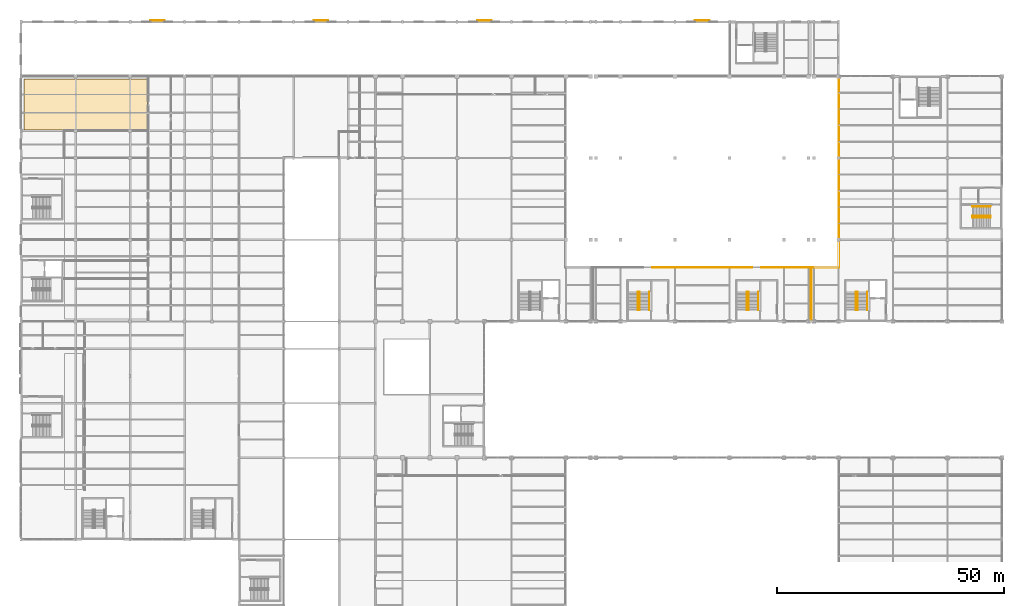
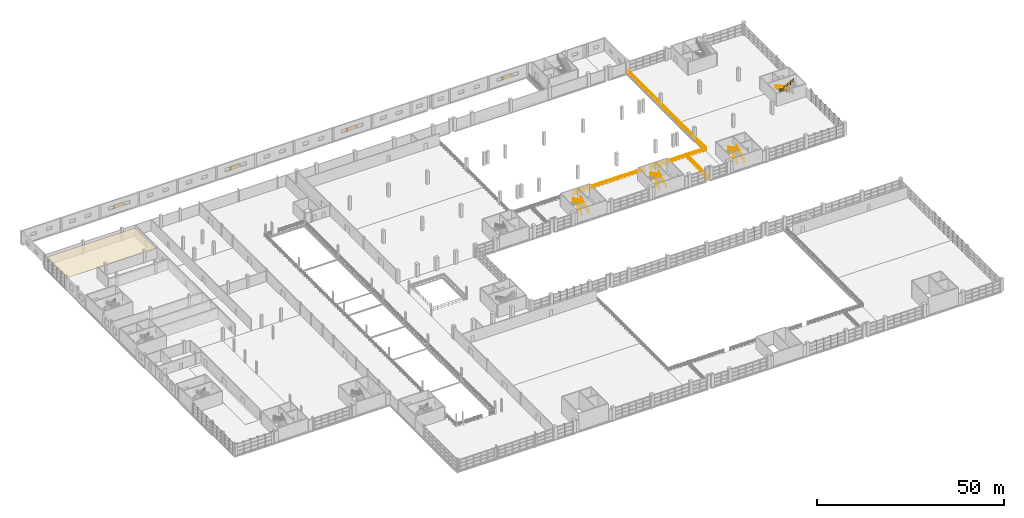
# One storey, part 157 of 158: 11 railings, 4 shading devices, 1 covering.
"""IFC4 building model written with IfcOpenShell, lengths in metres."""

from ifc_helpers import new_model, si_unit, direction, frame, origin, origin_2d, place, context, subcontext, project, spatial, polyline, rectangle, circle, outline, extrude, material, layer, layer_set, type_object, element, save


model = new_model("IFC4")

# Units and contexts
model_context = context("Model", 3, precision=1e-05, world=origin(), true_north=direction((0.0, 1.0)))
body_context = subcontext(model_context, "Body", "Model", "MODEL_VIEW")
ifc_project = project(units=[si_unit("LENGTHUNIT", "METRE"), si_unit("AREAUNIT", "SQUARE_METRE"), si_unit("VOLUMEUNIT", "CUBIC_METRE"), si_unit("PLANEANGLEUNIT", "RADIAN"), si_unit("MASSUNIT", "GRAM", prefix="KILO")], contexts=[model_context])

# Site, building, storey
site_placement = place(None, origin())
site = spatial("IfcSite", under=ifc_project, at=site_placement, CompositionType="ELEMENT")
building_placement = place(site_placement, origin())
building = spatial("IfcBuilding", under=site, at=building_placement, Name="Zilviju Railside Exhibition Hall", CompositionType="ELEMENT")
storey_placement = place(building_placement, frame((0.0, 0.0, 4.199951171875)))
storey = spatial("IfcBuildingStorey", under=building, at=storey_placement, Name="L02", CompositionType="ELEMENT", Elevation=4.199951171875)

# Covering
ifc_material_1 = material(Name="Perforated gypsum and mineral-wool acoustic ceiling", Category="masonry")
ifc_layer = layer(ifc_material_1, 0.030029296875)
ifc_layer_set = layer_set([ifc_layer], Name="Perforated gypsum and mineral-wool acoustic ceiling")
covering_type = type_object("IfcCoveringType", Name="COV-CEIL-ACOUSTIC", PredefinedType="CEILING", material=ifc_layer_set)
covering_placement = place(storey_placement, frame((0.0, 0.0, 3.050048828125)))
element("IfcCovering", 1, at=covering_placement, inside=storey, type_object=covering_type, Name="Meeting Room 203 Acoustic Ceiling", PredefinedType="CEILING", context=body_context, shape_type="SweptSolid", body=[
    extrude(outline(polyline([(0.60009765625, 126.199951171875), (27.800048828125, 126.199951171875), (27.800048828125, 137.39990234375), (0.60009765625, 137.39990234375), (0.60009765625, 126.199951171875)])), origin(), (0.0, 0.0, 1.0), 0.030029296875),
])

# Railings
ifc_material_2 = material(Name="Brushed bronze tubular stair handrail", Category="steel")
railing_type_1 = type_object("IfcRailingType", Name="RL-HANDRAIL-920", PredefinedType="HANDRAIL", material=ifc_material_2)
for number, where, name in (
    (2, (138.35009765625, 86.5, 0.0), "Core C05 North Hall Court MidW Stair Wall Handrail L02"),
    (3, (162.340087890625, 86.5, 0.0), "Core C06 North Hall Court MidE Stair Wall Handrail L02"),
    (4, (186.360107421875, 86.5, 0.0), "Core C07 North Hall Court East Stair Wall Handrail L02"),
):
    element("IfcRailing", number, at=place(storey_placement, frame(where)), inside=storey, type_object=railing_type_1, Name=name, PredefinedType="HANDRAIL", context=body_context, shape_type="SweptSolid", body=[
        extrude(circle(Radius=0.02392578125, at=origin_2d()), frame((0.0, 0.019287109375, 0.906005859375), z_axis=(0.0, 0.88681272381, 0.462128978628), x_axis=(-1.0, 0.0, 0.0)), (0.0, 0.0, 1.0), 4.500732421875),
        extrude(circle(Radius=0.02099609375, at=origin_2d()), origin(), (0.0, 0.0, 1.0), 0.919921875),
        extrude(circle(Radius=0.02099609375, at=origin_2d()), frame((0.0, 1.007568359375, 0.52490234375)), (0.0, 0.0, 1.0), 0.919921875),
        extrude(circle(Radius=0.02099609375, at=origin_2d()), frame((0.0, 2.01513671875, 1.050048828125)), (0.0, 0.0, 1.0), 0.919921875),
        extrude(circle(Radius=0.02099609375, at=origin_2d()), frame((0.0, 3.0224609375, 1.5751953125)), (0.0, 0.0, 1.0), 0.919921875),
        extrude(circle(Radius=0.02099609375, at=origin_2d()), frame((0.0, 4.030029296875, 2.10009765625)), (0.0, 0.0, 1.0), 0.919921875),
    ])
railing_1_placement = place(storey_placement, frame((213.5, 109.340087890625, 0.0)))
element("IfcRailing", 5, at=railing_1_placement, inside=storey, type_object=railing_type_1, Name="Core C09 North Hall Gable East Stair Wall Handrail L02", PredefinedType="HANDRAIL", context=body_context, shape_type="SweptSolid", body=[
    extrude(circle(Radius=0.02392578125, at=origin_2d()), frame((-0.019287109375, 0.0, 0.906005859375), z_axis=(-0.88681272381, 0.0, 0.462128978628), x_axis=(0.0, -1.0, 0.0)), (0.0, 0.0, 1.0), 4.500732421875),
    extrude(circle(Radius=0.02099609375, at=origin_2d()), origin(), (0.0, 0.0, 1.0), 0.919921875),
    extrude(circle(Radius=0.02099609375, at=origin_2d()), frame((-1.007568359375, 0.0, 0.52490234375)), (0.0, 0.0, 1.0), 0.919921875),
    extrude(circle(Radius=0.02099609375, at=origin_2d()), frame((-2.01513671875, 0.0, 1.050048828125)), (0.0, 0.0, 1.0), 0.919921875),
    extrude(circle(Radius=0.02099609375, at=origin_2d()), frame((-3.0224609375, 0.0, 1.5751953125)), (0.0, 0.0, 1.0), 0.919921875),
    extrude(circle(Radius=0.02099609375, at=origin_2d()), frame((-4.030029296875, 0.0, 2.10009765625)), (0.0, 0.0, 1.0), 0.919921875),
])
ifc_material_3 = material(Name="Wrought-iron and laminated-glass atrium guardrail", Category="glass")
railing_type_2 = type_object("IfcRailingType", Name="RL-INT-GUARD-1120", PredefinedType="GUARDRAIL", material=ifc_material_3)
railing_2_placement = place(storey_placement, frame((136.239990234375, 86.5, 0.0)))
element("IfcRailing", 6, at=railing_2_placement, inside=storey, type_object=railing_type_2, Name="Core C05 North Hall Court MidW Stair Well Guardrail L02", PredefinedType="GUARDRAIL", context=body_context, shape_type="SweptSolid", body=[
    extrude(circle(Radius=0.02392578125, at=origin_2d()), frame((0.0, 0.019287109375, 1.106201171875), z_axis=(0.0, 0.88681272381, 0.462128978628), x_axis=(-1.0, 0.0, 0.0)), (0.0, 0.0, 1.0), 4.500732421875),
    extrude(circle(Radius=0.02392578125, at=origin_2d()), frame((0.0, 0.019287109375, 0.570068359375), z_axis=(0.0, 0.88681272381, 0.462128978628), x_axis=(-1.0, 0.0, 0.0)), (0.0, 0.0, 1.0), 4.500732421875),
    extrude(circle(Radius=0.02392578125, at=origin_2d()), frame((-0.021728515625, 4.030029296875, 3.1962890625), z_axis=(-1.0, 0.0, 0.0), x_axis=(0.0, -1.0, 0.0)), (0.0, 0.0, 1.0), 0.336181640625),
    extrude(circle(Radius=0.02392578125, at=origin_2d()), frame((-0.021728515625, 4.030029296875, 2.66015625), z_axis=(-1.0, 0.0, 0.0), x_axis=(0.0, -1.0, 0.0)), (0.0, 0.0, 1.0), 0.336181640625),
    extrude(circle(Radius=0.02392578125, at=origin_2d()), frame((-0.3798828125, 4.0107421875, 3.206298828125), z_axis=(0.0, -0.886834740388, 0.462086726969), x_axis=(1.0, 0.0, 0.0)), (0.0, 0.0, 1.0), 4.500732421875),
    extrude(circle(Radius=0.02392578125, at=origin_2d()), frame((-0.3798828125, 4.0107421875, 2.670166015625), z_axis=(0.0, -0.886834740388, 0.462086726969), x_axis=(1.0, 0.0, 0.0)), (0.0, 0.0, 1.0), 4.500732421875),
    extrude(circle(Radius=0.02099609375, at=origin_2d()), origin(), (0.0, 0.0, 1.0), 1.1201171875),
    extrude(circle(Radius=0.02099609375, at=origin_2d()), frame((0.0, 1.007568359375, 0.52490234375)), (0.0, 0.0, 1.0), 1.1201171875),
    extrude(circle(Radius=0.02099609375, at=origin_2d()), frame((0.0, 2.01513671875, 1.050048828125)), (0.0, 0.0, 1.0), 1.1201171875),
    extrude(circle(Radius=0.02099609375, at=origin_2d()), frame((0.0, 3.0224609375, 1.5751953125)), (0.0, 0.0, 1.0), 1.1201171875),
    extrude(circle(Radius=0.02099609375, at=origin_2d()), frame((0.0, 4.030029296875, 2.10009765625)), (0.0, 0.0, 1.0), 1.1201171875),
    extrude(circle(Radius=0.02099609375, at=origin_2d()), frame((-0.3798828125, 4.030029296875, 2.10009765625)), (0.0, 0.0, 1.0), 1.1201171875),
    extrude(circle(Radius=0.02099609375, at=origin_2d()), frame((-0.3798828125, 3.0224609375, 2.625)), (0.0, 0.0, 1.0), 1.1201171875),
    extrude(circle(Radius=0.02099609375, at=origin_2d()), frame((-0.3798828125, 2.01513671875, 3.14990234375)), (0.0, 0.0, 1.0), 1.1201171875),
    extrude(circle(Radius=0.02099609375, at=origin_2d()), frame((-0.3798828125, 1.007568359375, 3.675048828125)), (0.0, 0.0, 1.0), 1.1201171875),
    extrude(circle(Radius=0.02099609375, at=origin_2d()), frame((-0.3798828125, 0.0, 4.199951171875)), (0.0, 0.0, 1.0), 1.1201171875),
])
railing_3_placement = place(storey_placement, frame((160.25, 86.5, 0.0)))
element("IfcRailing", 7, at=railing_3_placement, inside=storey, type_object=railing_type_2, Name="Core C06 North Hall Court MidE Stair Well Guardrail L02", PredefinedType="GUARDRAIL", context=body_context, shape_type="SweptSolid", body=[
    extrude(circle(Radius=0.02392578125, at=origin_2d()), frame((0.0, 0.019287109375, 1.106201171875), z_axis=(0.0, 0.88681272381, 0.462128978628), x_axis=(-1.0, 0.0, 0.0)), (0.0, 0.0, 1.0), 4.500732421875),
    extrude(circle(Radius=0.02392578125, at=origin_2d()), frame((0.0, 0.019287109375, 0.570068359375), z_axis=(0.0, 0.88681272381, 0.462128978628), x_axis=(-1.0, 0.0, 0.0)), (0.0, 0.0, 1.0), 4.500732421875),
    extrude(circle(Radius=0.02392578125, at=origin_2d()), frame((-0.021728515625, 4.030029296875, 3.1962890625), z_axis=(-1.0, 0.0, 0.0), x_axis=(0.0, -1.0, 0.0)), (0.0, 0.0, 1.0), 0.356201171875),
    extrude(circle(Radius=0.02392578125, at=origin_2d()), frame((-0.021728515625, 4.030029296875, 2.66015625), z_axis=(-1.0, 0.0, 0.0), x_axis=(0.0, -1.0, 0.0)), (0.0, 0.0, 1.0), 0.356201171875),
    extrude(circle(Radius=0.02392578125, at=origin_2d()), frame((-0.39990234375, 4.0107421875, 3.206298828125), z_axis=(0.0, -0.886834740388, 0.462086726969), x_axis=(1.0, 0.0, 0.0)), (0.0, 0.0, 1.0), 4.500732421875),
    extrude(circle(Radius=0.02392578125, at=origin_2d()), frame((-0.39990234375, 4.0107421875, 2.670166015625), z_axis=(0.0, -0.886834740388, 0.462086726969), x_axis=(1.0, 0.0, 0.0)), (0.0, 0.0, 1.0), 4.500732421875),
    extrude(circle(Radius=0.02099609375, at=origin_2d()), origin(), (0.0, 0.0, 1.0), 1.1201171875),
    extrude(circle(Radius=0.02099609375, at=origin_2d()), frame((0.0, 1.007568359375, 0.52490234375)), (0.0, 0.0, 1.0), 1.1201171875),
    extrude(circle(Radius=0.02099609375, at=origin_2d()), frame((0.0, 2.01513671875, 1.050048828125)), (0.0, 0.0, 1.0), 1.1201171875),
    extrude(circle(Radius=0.02099609375, at=origin_2d()), frame((0.0, 3.0224609375, 1.5751953125)), (0.0, 0.0, 1.0), 1.1201171875),
    extrude(circle(Radius=0.02099609375, at=origin_2d()), frame((0.0, 4.030029296875, 2.10009765625)), (0.0, 0.0, 1.0), 1.1201171875),
    extrude(circle(Radius=0.02099609375, at=origin_2d()), frame((-0.39990234375, 4.030029296875, 2.10009765625)), (0.0, 0.0, 1.0), 1.1201171875),
    extrude(circle(Radius=0.02099609375, at=origin_2d()), frame((-0.39990234375, 3.0224609375, 2.625)), (0.0, 0.0, 1.0), 1.1201171875),
    extrude(circle(Radius=0.02099609375, at=origin_2d()), frame((-0.39990234375, 2.01513671875, 3.14990234375)), (0.0, 0.0, 1.0), 1.1201171875),
    extrude(circle(Radius=0.02099609375, at=origin_2d()), frame((-0.39990234375, 1.007568359375, 3.675048828125)), (0.0, 0.0, 1.0), 1.1201171875),
    extrude(circle(Radius=0.02099609375, at=origin_2d()), frame((-0.39990234375, 0.0, 4.199951171875)), (0.0, 0.0, 1.0), 1.1201171875),
])
railing_4_placement = place(storey_placement, frame((184.22998046875, 86.5, 0.0)))
element("IfcRailing", 8, at=railing_4_placement, inside=storey, type_object=railing_type_2, Name="Core C07 North Hall Court East Stair Well Guardrail L02", PredefinedType="GUARDRAIL", context=body_context, shape_type="SweptSolid", body=[
    extrude(circle(Radius=0.02392578125, at=origin_2d()), frame((0.0, 0.019287109375, 1.106201171875), z_axis=(0.0, 0.88681272381, 0.462128978628), x_axis=(-1.0, 0.0, 0.0)), (0.0, 0.0, 1.0), 4.500732421875),
    extrude(circle(Radius=0.02392578125, at=origin_2d()), frame((0.0, 0.019287109375, 0.570068359375), z_axis=(0.0, 0.88681272381, 0.462128978628), x_axis=(-1.0, 0.0, 0.0)), (0.0, 0.0, 1.0), 4.500732421875),
    extrude(circle(Radius=0.02392578125, at=origin_2d()), frame((-0.021728515625, 4.030029296875, 3.1962890625), z_axis=(-1.0, 0.0, 0.0), x_axis=(0.0, -1.0, 0.0)), (0.0, 0.0, 1.0), 0.316162109375),
    extrude(circle(Radius=0.02392578125, at=origin_2d()), frame((-0.021728515625, 4.030029296875, 2.66015625), z_axis=(-1.0, 0.0, 0.0), x_axis=(0.0, -1.0, 0.0)), (0.0, 0.0, 1.0), 0.316162109375),
    extrude(circle(Radius=0.02392578125, at=origin_2d()), frame((-0.35986328125, 4.0107421875, 3.206298828125), z_axis=(0.0, -0.886834740388, 0.462086726969), x_axis=(1.0, 0.0, 0.0)), (0.0, 0.0, 1.0), 4.500732421875),
    extrude(circle(Radius=0.02392578125, at=origin_2d()), frame((-0.35986328125, 4.0107421875, 2.670166015625), z_axis=(0.0, -0.886834740388, 0.462086726969), x_axis=(1.0, 0.0, 0.0)), (0.0, 0.0, 1.0), 4.500732421875),
    extrude(circle(Radius=0.02099609375, at=origin_2d()), origin(), (0.0, 0.0, 1.0), 1.1201171875),
    extrude(circle(Radius=0.02099609375, at=origin_2d()), frame((0.0, 1.007568359375, 0.52490234375)), (0.0, 0.0, 1.0), 1.1201171875),
    extrude(circle(Radius=0.02099609375, at=origin_2d()), frame((0.0, 2.01513671875, 1.050048828125)), (0.0, 0.0, 1.0), 1.1201171875),
    extrude(circle(Radius=0.02099609375, at=origin_2d()), frame((0.0, 3.0224609375, 1.5751953125)), (0.0, 0.0, 1.0), 1.1201171875),
    extrude(circle(Radius=0.02099609375, at=origin_2d()), frame((0.0, 4.030029296875, 2.10009765625)), (0.0, 0.0, 1.0), 1.1201171875),
    extrude(circle(Radius=0.02099609375, at=origin_2d()), frame((-0.35986328125, 4.030029296875, 2.10009765625)), (0.0, 0.0, 1.0), 1.1201171875),
    extrude(circle(Radius=0.02099609375, at=origin_2d()), frame((-0.35986328125, 3.0224609375, 2.625)), (0.0, 0.0, 1.0), 1.1201171875),
    extrude(circle(Radius=0.02099609375, at=origin_2d()), frame((-0.35986328125, 2.01513671875, 3.14990234375)), (0.0, 0.0, 1.0), 1.1201171875),
    extrude(circle(Radius=0.02099609375, at=origin_2d()), frame((-0.35986328125, 1.007568359375, 3.675048828125)), (0.0, 0.0, 1.0), 1.1201171875),
    extrude(circle(Radius=0.02099609375, at=origin_2d()), frame((-0.35986328125, 0.0, 4.199951171875)), (0.0, 0.0, 1.0), 1.1201171875),
])
railing_5_placement = place(storey_placement, frame((213.5, 107.25, 0.0)))
element("IfcRailing", 9, at=railing_5_placement, inside=storey, type_object=railing_type_2, Name="Core C09 North Hall Gable East Stair Well Guardrail L02", PredefinedType="GUARDRAIL", context=body_context, shape_type="SweptSolid", body=[
    extrude(circle(Radius=0.02392578125, at=origin_2d()), frame((-0.019287109375, 0.0, 1.106201171875), z_axis=(-0.88681272381, 0.0, 0.462128978628), x_axis=(0.0, -1.0, 0.0)), (0.0, 0.0, 1.0), 4.500732421875),
    extrude(circle(Radius=0.02392578125, at=origin_2d()), frame((-0.019287109375, 0.0, 0.570068359375), z_axis=(-0.88681272381, 0.0, 0.462128978628), x_axis=(0.0, -1.0, 0.0)), (0.0, 0.0, 1.0), 4.500732421875),
    extrude(circle(Radius=0.02392578125, at=origin_2d()), frame((-4.030029296875, -0.021728515625, 3.1962890625), z_axis=(0.0, -1.0, 0.0), x_axis=(1.0, 0.0, 0.0)), (0.0, 0.0, 1.0), 0.356201171875),
    extrude(circle(Radius=0.02392578125, at=origin_2d()), frame((-4.030029296875, -0.021728515625, 2.66015625), z_axis=(0.0, -1.0, 0.0), x_axis=(1.0, 0.0, 0.0)), (0.0, 0.0, 1.0), 0.356201171875),
    extrude(circle(Radius=0.02392578125, at=origin_2d()), frame((-4.0107421875, -0.39990234375, 3.206298828125), z_axis=(0.886834740388, 0.0, 0.462086726969), x_axis=(0.0, 1.0, 0.0)), (0.0, 0.0, 1.0), 4.500732421875),
    extrude(circle(Radius=0.02392578125, at=origin_2d()), frame((-4.0107421875, -0.39990234375, 2.670166015625), z_axis=(0.886834740388, 0.0, 0.462086726969), x_axis=(0.0, 1.0, 0.0)), (0.0, 0.0, 1.0), 4.500732421875),
    extrude(circle(Radius=0.02099609375, at=origin_2d()), origin(), (0.0, 0.0, 1.0), 1.1201171875),
    extrude(circle(Radius=0.02099609375, at=origin_2d()), frame((-1.007568359375, 0.0, 0.52490234375)), (0.0, 0.0, 1.0), 1.1201171875),
    extrude(circle(Radius=0.02099609375, at=origin_2d()), frame((-2.01513671875, 0.0, 1.050048828125)), (0.0, 0.0, 1.0), 1.1201171875),
    extrude(circle(Radius=0.02099609375, at=origin_2d()), frame((-3.0224609375, 0.0, 1.5751953125)), (0.0, 0.0, 1.0), 1.1201171875),
    extrude(circle(Radius=0.02099609375, at=origin_2d()), frame((-4.030029296875, 0.0, 2.10009765625)), (0.0, 0.0, 1.0), 1.1201171875),
    extrude(circle(Radius=0.02099609375, at=origin_2d()), frame((-4.030029296875, -0.39990234375, 2.10009765625)), (0.0, 0.0, 1.0), 1.1201171875),
    extrude(circle(Radius=0.02099609375, at=origin_2d()), frame((-3.0224609375, -0.39990234375, 2.625)), (0.0, 0.0, 1.0), 1.1201171875),
    extrude(circle(Radius=0.02099609375, at=origin_2d()), frame((-2.01513671875, -0.39990234375, 3.14990234375)), (0.0, 0.0, 1.0), 1.1201171875),
    extrude(circle(Radius=0.02099609375, at=origin_2d()), frame((-1.007568359375, -0.39990234375, 3.675048828125)), (0.0, 0.0, 1.0), 1.1201171875),
    extrude(circle(Radius=0.02099609375, at=origin_2d()), frame((0.0, -0.39990234375, 4.199951171875)), (0.0, 0.0, 1.0), 1.1201171875),
])
railing_6_placement = place(storey_placement, frame((139.050048828125, 95.8798828125, 0.0)))
element("IfcRailing", 10, at=railing_6_placement, inside=storey, type_object=railing_type_2, Name="Interior Atrium & Gallery Guardrail V2-S-WLK2B", PredefinedType="GUARDRAIL", context=body_context, shape_type="SweptSolid", body=[
    extrude(circle(Radius=0.02392578125, at=origin_2d()), frame((0.021728515625, 0.0, 1.09619140625), z_axis=(1.0, 0.0, 0.0), x_axis=(0.0, 1.0, 0.0)), (0.0, 0.0, 1.0), 21.856201171875),
    extrude(circle(Radius=0.02392578125, at=origin_2d()), frame((0.021728515625, 0.0, 0.56005859375), z_axis=(1.0, 0.0, 0.0), x_axis=(0.0, 1.0, 0.0)), (0.0, 0.0, 1.0), 21.856201171875),
    extrude(circle(Radius=0.02099609375, at=origin_2d()), origin(), (0.0, 0.0, 1.0), 1.1201171875),
    extrude(circle(Radius=0.02099609375, at=origin_2d()), frame((1.152587890625, 0.0, 0.0)), (0.0, 0.0, 1.0), 1.1201171875),
    extrude(circle(Radius=0.02099609375, at=origin_2d()), frame((2.30517578125, 0.0, 0.0)), (0.0, 0.0, 1.0), 1.1201171875),
    extrude(circle(Radius=0.02099609375, at=origin_2d()), frame((3.457763671875, 0.0, 0.0)), (0.0, 0.0, 1.0), 1.1201171875),
    extrude(circle(Radius=0.02099609375, at=origin_2d()), frame((4.610595703125, 0.0, 0.0)), (0.0, 0.0, 1.0), 1.1201171875),
    extrude(circle(Radius=0.02099609375, at=origin_2d()), frame((5.76318359375, 0.0, 0.0)), (0.0, 0.0, 1.0), 1.1201171875),
    extrude(circle(Radius=0.02099609375, at=origin_2d()), frame((6.915771484375, 0.0, 0.0)), (0.0, 0.0, 1.0), 1.1201171875),
    extrude(circle(Radius=0.02099609375, at=origin_2d()), frame((8.068359375, 0.0, 0.0)), (0.0, 0.0, 1.0), 1.1201171875),
    extrude(circle(Radius=0.02099609375, at=origin_2d()), frame((9.220947265625, 0.0, 0.0)), (0.0, 0.0, 1.0), 1.1201171875),
    extrude(circle(Radius=0.02099609375, at=origin_2d()), frame((10.37353515625, 0.0, 0.0)), (0.0, 0.0, 1.0), 1.1201171875),
    extrude(circle(Radius=0.02099609375, at=origin_2d()), frame((11.5263671875, 0.0, 0.0)), (0.0, 0.0, 1.0), 1.1201171875),
    extrude(circle(Radius=0.02099609375, at=origin_2d()), frame((12.678955078125, 0.0, 0.0)), (0.0, 0.0, 1.0), 1.1201171875),
    extrude(circle(Radius=0.02099609375, at=origin_2d()), frame((13.83154296875, 0.0, 0.0)), (0.0, 0.0, 1.0), 1.1201171875),
    extrude(circle(Radius=0.02099609375, at=origin_2d()), frame((14.984130859375, 0.0, 0.0)), (0.0, 0.0, 1.0), 1.1201171875),
    extrude(circle(Radius=0.02099609375, at=origin_2d()), frame((16.13671875, 0.0, 0.0)), (0.0, 0.0, 1.0), 1.1201171875),
    extrude(circle(Radius=0.02099609375, at=origin_2d()), frame((17.289306640625, 0.0, 0.0)), (0.0, 0.0, 1.0), 1.1201171875),
    extrude(circle(Radius=0.02099609375, at=origin_2d()), frame((18.442138671875, 0.0, 0.0)), (0.0, 0.0, 1.0), 1.1201171875),
    extrude(circle(Radius=0.02099609375, at=origin_2d()), frame((19.5947265625, 0.0, 0.0)), (0.0, 0.0, 1.0), 1.1201171875),
    extrude(circle(Radius=0.02099609375, at=origin_2d()), frame((20.747314453125, 0.0, 0.0)), (0.0, 0.0, 1.0), 1.1201171875),
    extrude(circle(Radius=0.02099609375, at=origin_2d()), frame((21.89990234375, 0.0, 0.0)), (0.0, 0.0, 1.0), 1.1201171875),
])
railing_7_placement = place(storey_placement, frame((163.050048828125, 95.8798828125, 0.0)))
element("IfcRailing", 11, at=railing_7_placement, inside=storey, type_object=railing_type_2, Name="Interior Atrium & Gallery Guardrail V2-S-WLK2C", PredefinedType="GUARDRAIL", context=body_context, shape_type="SweptSolid", body=[
    extrude(circle(Radius=0.02392578125, at=origin_2d()), frame((0.021728515625, 0.0, 1.09619140625), z_axis=(1.0, 0.0, 0.0), x_axis=(0.0, 1.0, 0.0)), (0.0, 0.0, 1.0), 10.826171875),
    extrude(circle(Radius=0.02392578125, at=origin_2d()), frame((0.021728515625, 0.0, 0.56005859375), z_axis=(1.0, 0.0, 0.0), x_axis=(0.0, 1.0, 0.0)), (0.0, 0.0, 1.0), 10.826171875),
    extrude(circle(Radius=0.02392578125, at=origin_2d()), frame((10.869873046875, -0.021728515625, 1.09619140625), z_axis=(0.0, -1.0, 0.0), x_axis=(1.0, 0.0, 0.0)), (0.0, 0.0, 1.0), 11.586181640625),
    extrude(circle(Radius=0.02392578125, at=origin_2d()), frame((10.869873046875, -0.021728515625, 0.56005859375), z_axis=(0.0, -1.0, 0.0), x_axis=(1.0, 0.0, 0.0)), (0.0, 0.0, 1.0), 11.586181640625),
    extrude(circle(Radius=0.02099609375, at=origin_2d()), origin(), (0.0, 0.0, 1.0), 1.1201171875),
    extrude(circle(Radius=0.02099609375, at=origin_2d()), frame((1.0869140625, 0.0, 0.0)), (0.0, 0.0, 1.0), 1.1201171875),
    extrude(circle(Radius=0.02099609375, at=origin_2d()), frame((2.174072265625, 0.0, 0.0)), (0.0, 0.0, 1.0), 1.1201171875),
    extrude(circle(Radius=0.02099609375, at=origin_2d()), frame((3.260986328125, 0.0, 0.0)), (0.0, 0.0, 1.0), 1.1201171875),
    extrude(circle(Radius=0.02099609375, at=origin_2d()), frame((4.347900390625, 0.0, 0.0)), (0.0, 0.0, 1.0), 1.1201171875),
    extrude(circle(Radius=0.02099609375, at=origin_2d()), frame((5.43505859375, 0.0, 0.0)), (0.0, 0.0, 1.0), 1.1201171875),
    extrude(circle(Radius=0.02099609375, at=origin_2d()), frame((6.52197265625, 0.0, 0.0)), (0.0, 0.0, 1.0), 1.1201171875),
    extrude(circle(Radius=0.02099609375, at=origin_2d()), frame((7.60888671875, 0.0, 0.0)), (0.0, 0.0, 1.0), 1.1201171875),
    extrude(circle(Radius=0.02099609375, at=origin_2d()), frame((8.69580078125, 0.0, 0.0)), (0.0, 0.0, 1.0), 1.1201171875),
    extrude(circle(Radius=0.02099609375, at=origin_2d()), frame((9.782958984375, 0.0, 0.0)), (0.0, 0.0, 1.0), 1.1201171875),
    extrude(circle(Radius=0.02099609375, at=origin_2d()), frame((10.869873046875, 0.0, 0.0)), (0.0, 0.0, 1.0), 1.1201171875),
    extrude(circle(Radius=0.02099609375, at=origin_2d()), frame((10.869873046875, -1.1630859375, 0.0)), (0.0, 0.0, 1.0), 1.1201171875),
    extrude(circle(Radius=0.02099609375, at=origin_2d()), frame((10.869873046875, -2.325927734375, 0.0)), (0.0, 0.0, 1.0), 1.1201171875),
    extrude(circle(Radius=0.02099609375, at=origin_2d()), frame((10.869873046875, -3.489013671875, 0.0)), (0.0, 0.0, 1.0), 1.1201171875),
    extrude(circle(Radius=0.02099609375, at=origin_2d()), frame((10.869873046875, -4.65185546875, 0.0)), (0.0, 0.0, 1.0), 1.1201171875),
    extrude(circle(Radius=0.02099609375, at=origin_2d()), frame((10.869873046875, -5.81494140625, 0.0)), (0.0, 0.0, 1.0), 1.1201171875),
    extrude(circle(Radius=0.02099609375, at=origin_2d()), frame((10.869873046875, -6.97802734375, 0.0)), (0.0, 0.0, 1.0), 1.1201171875),
    extrude(circle(Radius=0.02099609375, at=origin_2d()), frame((10.869873046875, -8.140869140625, 0.0)), (0.0, 0.0, 1.0), 1.1201171875),
    extrude(circle(Radius=0.02099609375, at=origin_2d()), frame((10.869873046875, -9.303955078125, 0.0)), (0.0, 0.0, 1.0), 1.1201171875),
    extrude(circle(Radius=0.02099609375, at=origin_2d()), frame((10.869873046875, -10.466796875, 0.0)), (0.0, 0.0, 1.0), 1.1201171875),
    extrude(circle(Radius=0.02099609375, at=origin_2d()), frame((10.869873046875, -11.6298828125, 0.0)), (0.0, 0.0, 1.0), 1.1201171875),
])
railing_8_placement = place(storey_placement, frame((174.080078125, 84.25, 0.0)))
element("IfcRailing", 12, at=railing_8_placement, inside=storey, type_object=railing_type_2, Name="Interior Atrium & Gallery Guardrail V2-E-GAL", PredefinedType="GUARDRAIL", context=body_context, shape_type="SweptSolid", body=[
    extrude(circle(Radius=0.02392578125, at=origin_2d()), frame((0.0, 0.021728515625, 1.09619140625), z_axis=(0.0, 1.0, 0.0), x_axis=(-1.0, 0.0, 0.0)), (0.0, 0.0, 1.0), 11.586181640625),
    extrude(circle(Radius=0.02392578125, at=origin_2d()), frame((0.0, 0.021728515625, 0.56005859375), z_axis=(0.0, 1.0, 0.0), x_axis=(-1.0, 0.0, 0.0)), (0.0, 0.0, 1.0), 11.586181640625),
    extrude(circle(Radius=0.02392578125, at=origin_2d()), frame((0.021728515625, 11.6298828125, 1.09619140625), z_axis=(1.0, 0.0, 0.0), x_axis=(0.0, 1.0, 0.0)), (0.0, 0.0, 1.0), 5.996337890625),
    extrude(circle(Radius=0.02392578125, at=origin_2d()), frame((0.021728515625, 11.6298828125, 0.56005859375), z_axis=(1.0, 0.0, 0.0), x_axis=(0.0, 1.0, 0.0)), (0.0, 0.0, 1.0), 5.996337890625),
    extrude(circle(Radius=0.02392578125, at=origin_2d()), frame((6.0400390625, 11.651611328125, 1.09619140625), z_axis=(0.0, 1.0, 0.0), x_axis=(-1.0, 0.0, 0.0)), (0.0, 0.0, 1.0), 41.926513671875),
    extrude(circle(Radius=0.02392578125, at=origin_2d()), frame((6.0400390625, 11.651611328125, 0.56005859375), z_axis=(0.0, 1.0, 0.0), x_axis=(-1.0, 0.0, 0.0)), (0.0, 0.0, 1.0), 41.926513671875),
    extrude(circle(Radius=0.02099609375, at=origin_2d()), origin(), (0.0, 0.0, 1.0), 1.1201171875),
    extrude(circle(Radius=0.02099609375, at=origin_2d()), frame((0.0, 1.1630859375, 0.0)), (0.0, 0.0, 1.0), 1.1201171875),
    extrude(circle(Radius=0.02099609375, at=origin_2d()), frame((0.0, 2.325927734375, 0.0)), (0.0, 0.0, 1.0), 1.1201171875),
    extrude(circle(Radius=0.02099609375, at=origin_2d()), frame((0.0, 3.489013671875, 0.0)), (0.0, 0.0, 1.0), 1.1201171875),
    extrude(circle(Radius=0.02099609375, at=origin_2d()), frame((0.0, 4.65185546875, 0.0)), (0.0, 0.0, 1.0), 1.1201171875),
    extrude(circle(Radius=0.02099609375, at=origin_2d()), frame((0.0, 5.81494140625, 0.0)), (0.0, 0.0, 1.0), 1.1201171875),
    extrude(circle(Radius=0.02099609375, at=origin_2d()), frame((0.0, 6.97802734375, 0.0)), (0.0, 0.0, 1.0), 1.1201171875),
    extrude(circle(Radius=0.02099609375, at=origin_2d()), frame((0.0, 8.140869140625, 0.0)), (0.0, 0.0, 1.0), 1.1201171875),
    extrude(circle(Radius=0.02099609375, at=origin_2d()), frame((0.0, 9.303955078125, 0.0)), (0.0, 0.0, 1.0), 1.1201171875),
    extrude(circle(Radius=0.02099609375, at=origin_2d()), frame((0.0, 10.466796875, 0.0)), (0.0, 0.0, 1.0), 1.1201171875),
    extrude(circle(Radius=0.02099609375, at=origin_2d()), frame((0.0, 11.6298828125, 0.0)), (0.0, 0.0, 1.0), 1.1201171875),
    extrude(circle(Radius=0.02099609375, at=origin_2d()), frame((1.006591796875, 11.6298828125, 0.0)), (0.0, 0.0, 1.0), 1.1201171875),
    extrude(circle(Radius=0.02099609375, at=origin_2d()), frame((2.013427734375, 11.6298828125, 0.0)), (0.0, 0.0, 1.0), 1.1201171875),
    extrude(circle(Radius=0.02099609375, at=origin_2d()), frame((3.02001953125, 11.6298828125, 0.0)), (0.0, 0.0, 1.0), 1.1201171875),
    extrude(circle(Radius=0.02099609375, at=origin_2d()), frame((4.026611328125, 11.6298828125, 0.0)), (0.0, 0.0, 1.0), 1.1201171875),
    extrude(circle(Radius=0.02099609375, at=origin_2d()), frame((5.033447265625, 11.6298828125, 0.0)), (0.0, 0.0, 1.0), 1.1201171875),
    extrude(circle(Radius=0.02099609375, at=origin_2d()), frame((6.0400390625, 11.6298828125, 0.0)), (0.0, 0.0, 1.0), 1.1201171875),
    extrude(circle(Radius=0.02099609375, at=origin_2d()), frame((6.0400390625, 12.8291015625, 0.0)), (0.0, 0.0, 1.0), 1.1201171875),
    extrude(circle(Radius=0.02099609375, at=origin_2d()), frame((6.0400390625, 14.028076171875, 0.0)), (0.0, 0.0, 1.0), 1.1201171875),
    extrude(circle(Radius=0.02099609375, at=origin_2d()), frame((6.0400390625, 15.227294921875, 0.0)), (0.0, 0.0, 1.0), 1.1201171875),
    extrude(circle(Radius=0.02099609375, at=origin_2d()), frame((6.0400390625, 16.426513671875, 0.0)), (0.0, 0.0, 1.0), 1.1201171875),
    extrude(circle(Radius=0.02099609375, at=origin_2d()), frame((6.0400390625, 17.625732421875, 0.0)), (0.0, 0.0, 1.0), 1.1201171875),
    extrude(circle(Radius=0.02099609375, at=origin_2d()), frame((6.0400390625, 18.82470703125, 0.0)), (0.0, 0.0, 1.0), 1.1201171875),
    extrude(circle(Radius=0.02099609375, at=origin_2d()), frame((6.0400390625, 20.02392578125, 0.0)), (0.0, 0.0, 1.0), 1.1201171875),
    extrude(circle(Radius=0.02099609375, at=origin_2d()), frame((6.0400390625, 21.22314453125, 0.0)), (0.0, 0.0, 1.0), 1.1201171875),
    extrude(circle(Radius=0.02099609375, at=origin_2d()), frame((6.0400390625, 22.422119140625, 0.0)), (0.0, 0.0, 1.0), 1.1201171875),
    extrude(circle(Radius=0.02099609375, at=origin_2d()), frame((6.0400390625, 23.621337890625, 0.0)), (0.0, 0.0, 1.0), 1.1201171875),
    extrude(circle(Radius=0.02099609375, at=origin_2d()), frame((6.0400390625, 24.820556640625, 0.0)), (0.0, 0.0, 1.0), 1.1201171875),
    extrude(circle(Radius=0.02099609375, at=origin_2d()), frame((6.0400390625, 26.019775390625, 0.0)), (0.0, 0.0, 1.0), 1.1201171875),
    extrude(circle(Radius=0.02099609375, at=origin_2d()), frame((6.0400390625, 27.21875, 0.0)), (0.0, 0.0, 1.0), 1.1201171875),
    extrude(circle(Radius=0.02099609375, at=origin_2d()), frame((6.0400390625, 28.41796875, 0.0)), (0.0, 0.0, 1.0), 1.1201171875),
    extrude(circle(Radius=0.02099609375, at=origin_2d()), frame((6.0400390625, 29.6171875, 0.0)), (0.0, 0.0, 1.0), 1.1201171875),
    extrude(circle(Radius=0.02099609375, at=origin_2d()), frame((6.0400390625, 30.816162109375, 0.0)), (0.0, 0.0, 1.0), 1.1201171875),
    extrude(circle(Radius=0.02099609375, at=origin_2d()), frame((6.0400390625, 32.015380859375, 0.0)), (0.0, 0.0, 1.0), 1.1201171875),
    extrude(circle(Radius=0.02099609375, at=origin_2d()), frame((6.0400390625, 33.214599609375, 0.0)), (0.0, 0.0, 1.0), 1.1201171875),
    extrude(circle(Radius=0.02099609375, at=origin_2d()), frame((6.0400390625, 34.413818359375, 0.0)), (0.0, 0.0, 1.0), 1.1201171875),
    extrude(circle(Radius=0.02099609375, at=origin_2d()), frame((6.0400390625, 35.61279296875, 0.0)), (0.0, 0.0, 1.0), 1.1201171875),
    extrude(circle(Radius=0.02099609375, at=origin_2d()), frame((6.0400390625, 36.81201171875, 0.0)), (0.0, 0.0, 1.0), 1.1201171875),
    extrude(circle(Radius=0.02099609375, at=origin_2d()), frame((6.0400390625, 38.01123046875, 0.0)), (0.0, 0.0, 1.0), 1.1201171875),
    extrude(circle(Radius=0.02099609375, at=origin_2d()), frame((6.0400390625, 39.210205078125, 0.0)), (0.0, 0.0, 1.0), 1.1201171875),
    extrude(circle(Radius=0.02099609375, at=origin_2d()), frame((6.0400390625, 40.409423828125, 0.0)), (0.0, 0.0, 1.0), 1.1201171875),
    extrude(circle(Radius=0.02099609375, at=origin_2d()), frame((6.0400390625, 41.608642578125, 0.0)), (0.0, 0.0, 1.0), 1.1201171875),
    extrude(circle(Radius=0.02099609375, at=origin_2d()), frame((6.0400390625, 42.807861328125, 0.0)), (0.0, 0.0, 1.0), 1.1201171875),
    extrude(circle(Radius=0.02099609375, at=origin_2d()), frame((6.0400390625, 44.0068359375, 0.0)), (0.0, 0.0, 1.0), 1.1201171875),
    extrude(circle(Radius=0.02099609375, at=origin_2d()), frame((6.0400390625, 45.2060546875, 0.0)), (0.0, 0.0, 1.0), 1.1201171875),
    extrude(circle(Radius=0.02099609375, at=origin_2d()), frame((6.0400390625, 46.4052734375, 0.0)), (0.0, 0.0, 1.0), 1.1201171875),
    extrude(circle(Radius=0.02099609375, at=origin_2d()), frame((6.0400390625, 47.604248046875, 0.0)), (0.0, 0.0, 1.0), 1.1201171875),
    extrude(circle(Radius=0.02099609375, at=origin_2d()), frame((6.0400390625, 48.803466796875, 0.0)), (0.0, 0.0, 1.0), 1.1201171875),
    extrude(circle(Radius=0.02099609375, at=origin_2d()), frame((6.0400390625, 50.002685546875, 0.0)), (0.0, 0.0, 1.0), 1.1201171875),
    extrude(circle(Radius=0.02099609375, at=origin_2d()), frame((6.0400390625, 51.201904296875, 0.0)), (0.0, 0.0, 1.0), 1.1201171875),
    extrude(circle(Radius=0.02099609375, at=origin_2d()), frame((6.0400390625, 52.40087890625, 0.0)), (0.0, 0.0, 1.0), 1.1201171875),
    extrude(circle(Radius=0.02099609375, at=origin_2d()), frame((6.0400390625, 53.60009765625, 0.0)), (0.0, 0.0, 1.0), 1.1201171875),
])

# Shading devices
ifc_material_4 = material(Name="Anodized aluminium acoustic weather louvre", Category="aluminium")
shading_device_type = type_object("IfcShadingDeviceType", Name="SHD-LOUVRE-AC", PredefinedType="JALOUSIE", material=ifc_material_4)
for number, where, z_axis, x_axis, name in (
    (13, (30.0, 150.284912109375, 1.2001953125), (0.0, 0.0, 1.0), (1.0, 0.0, 0.0), "Acoustic Intake Weather Louvre LV-001"),
    (14, (66.0, 150.284912109375, 1.2001953125), (0.0, 0.0, 1.0), (1.0, 0.0, 0.0), "Acoustic Intake Weather Louvre LV-002"),
    (15, (102.0, 150.284912109375, 1.2001953125), (0.0, 0.0, 1.0), (1.0, 0.0, 0.0), "Acoustic Intake Weather Louvre LV-003"),
    (16, (150.0, 150.284912109375, 1.2001953125), (0.0, 0.0, 1.0), (1.0, 0.0, 0.0), "Acoustic Intake Weather Louvre LV-004"),
):
    element("IfcShadingDevice", number, at=place(storey_placement, frame(where, z_axis=z_axis, x_axis=x_axis)), inside=storey, type_object=shading_device_type, Name=name, PredefinedType="JALOUSIE", context=body_context, shape_type="SweptSolid", body=[
        extrude(rectangle(XDim=3.199951171875, YDim=0.179931640625, at=origin_2d()), origin(), (0.0, 0.0, 1.0), 1.199951171875),
    ])

save(model, "model.ifc")
